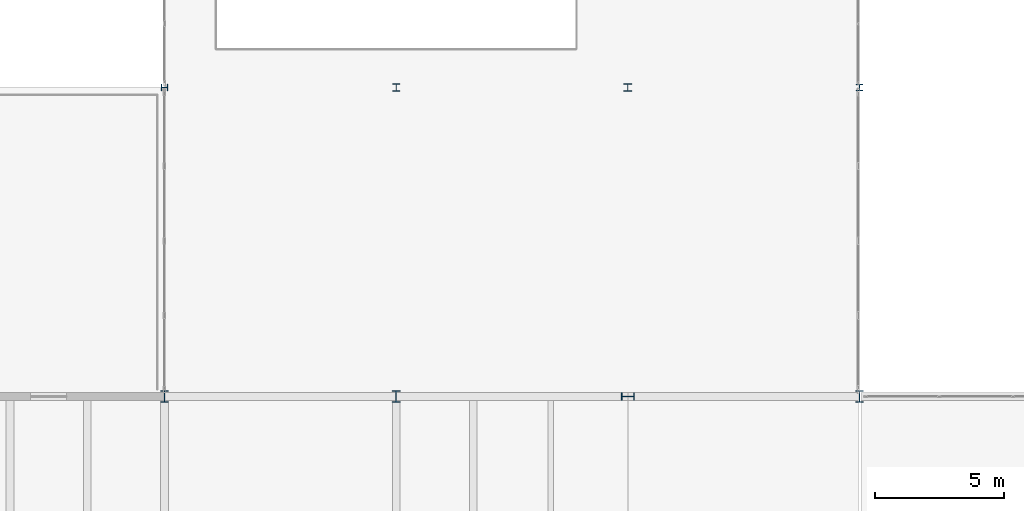
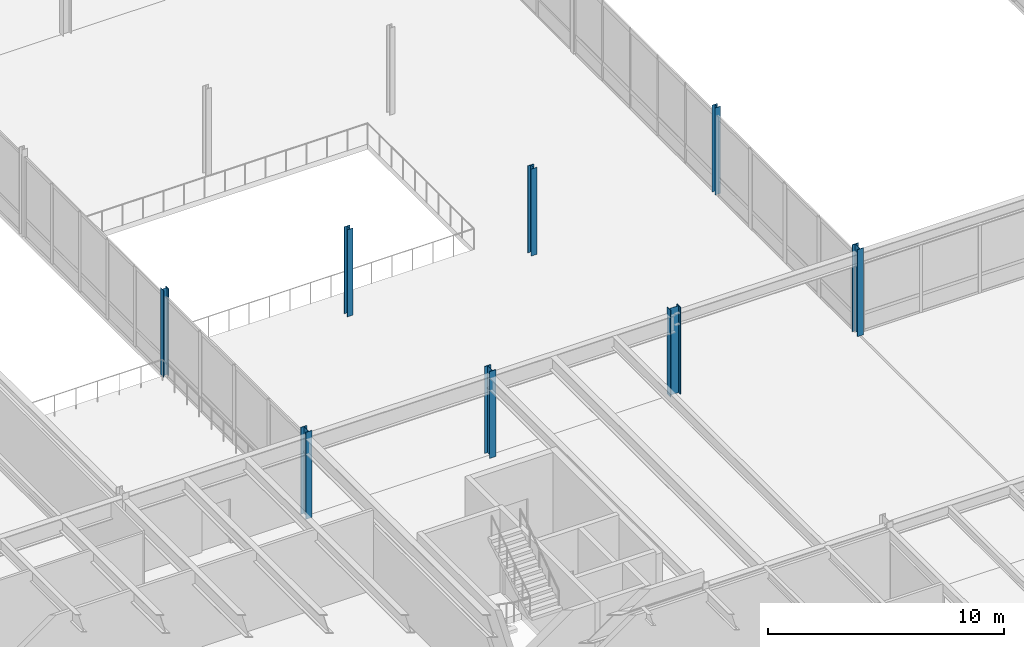
# One storey, part 3 of 115: 8 columns.
"""IFC4 building model written with IfcOpenShell, lengths in metres."""

from ifc_helpers import new_model, si_unit, direction, frame, origin, origin_2d, place, context, subcontext, project, spatial, i_section, extrude, material, material_profile, profile_set, type_object, element, save


model = new_model("IFC4")

# Units and contexts
model_context = context("Model", 3, precision=1e-05, world=origin(), true_north=direction((0.0, 1.0)))
body_context = subcontext(model_context, "Body", "Model", "MODEL_VIEW")
ifc_project = project(units=[si_unit("LENGTHUNIT", "METRE"), si_unit("AREAUNIT", "SQUARE_METRE"), si_unit("VOLUMEUNIT", "CUBIC_METRE"), si_unit("PLANEANGLEUNIT", "RADIAN"), si_unit("MASSUNIT", "GRAM", prefix="KILO")], contexts=[model_context])

# Site, building, storey
site_placement = place(None, origin())
site = spatial("IfcSite", under=ifc_project, at=site_placement, CompositionType="ELEMENT")
building_placement = place(site_placement, origin())
building = spatial("IfcBuilding", under=site, at=building_placement, Name="Montelvaro Courts of Justice", CompositionType="ELEMENT")
storey_placement = place(building_placement, frame((0.0, 0.0, 9.89990234375)))
storey = spatial("IfcBuildingStorey", under=building, at=storey_placement, Name="L02", CompositionType="ELEMENT", Elevation=9.89990234375)

# Columns
ifc_material = material(Name="Steel S355", Category="steel")
ifc_material_profile_1 = material_profile(ifc_material, i_section(OverallWidth=0.260009765625, OverallDepth=0.260009765625, WebThickness=0.010009765625, FlangeThickness=0.017578125, at=origin_2d()), Name="HEB 260")
ifc_profile_set_1 = profile_set([ifc_material_profile_1], Name="Steel S355")
column_type_1 = type_object("IfcColumnType", Name="Col_HEB260", PredefinedType="COLUMN", material=ifc_profile_set_1)
for number, where, z_axis, x_axis, name in (
    (1, (54.0, 54.0, 0.0), (0.0, 0.0, 1.0), (0.0, 1.0, 0.0), "Column C-01 L02 7/E"),
    (2, (81.0, 54.0, 0.0), (0.0, 0.0, 1.0), (1.0, 0.0, 0.0), "Column C-01 L02 10/E"),
):
    element("IfcColumn", number, at=place(storey_placement, frame(where, z_axis=z_axis, x_axis=x_axis)), inside=storey, type_object=column_type_1, Name=name, PredefinedType="COLUMN", context=body_context, shape_type="SweptSolid", body=[
        extrude(i_section(OverallWidth=0.260009765625, OverallDepth=0.260009765625, WebThickness=0.010009765625, FlangeThickness=0.017578125, at=origin_2d()), origin(), (0.0, 0.0, 1.0), 4.5),
    ])
ifc_material_profile_2 = material_profile(ifc_material, i_section(OverallWidth=0.280029296875, OverallDepth=0.280029296875, WebThickness=0.010498046875, FlangeThickness=0.01806640625, at=origin_2d()), Name="HEB 280")
ifc_profile_set_2 = profile_set([ifc_material_profile_2], Name="Steel S355")
column_type_2 = type_object("IfcColumnType", Name="Col_HEB280", PredefinedType="COLUMN", material=ifc_profile_set_2)
column_1_placement = place(storey_placement, frame((63.0, 54.0, 0.0), z_axis=(0.0, 0.0, 1.0), x_axis=(1.0, 0.0, 0.0)))
element("IfcColumn", 3, at=column_1_placement, inside=storey, type_object=column_type_2, Name="Column C-02 L02 8/E", PredefinedType="COLUMN", context=body_context, shape_type="SweptSolid", body=[
    extrude(i_section(OverallWidth=0.280029296875, OverallDepth=0.280029296875, WebThickness=0.010498046875, FlangeThickness=0.01806640625, at=origin_2d()), origin(), (0.0, 0.0, 1.0), 4.5),
])
ifc_material_profile_3 = material_profile(ifc_material, i_section(OverallWidth=0.300048828125, OverallDepth=0.300048828125, WebThickness=0.010986328125, FlangeThickness=0.01904296875, at=origin_2d()), Name="HEB 300")
ifc_profile_set_3 = profile_set([ifc_material_profile_3], Name="Steel S355")
column_type_3 = type_object("IfcColumnType", Name="Col_HEB300", PredefinedType="COLUMN", material=ifc_profile_set_3)
column_2_placement = place(storey_placement, frame((72.0, 54.0, 0.0), z_axis=(0.0, 0.0, 1.0), x_axis=(1.0, 0.0, 0.0)))
element("IfcColumn", 4, at=column_2_placement, inside=storey, type_object=column_type_3, Name="Column C-03 L02 9/E", PredefinedType="COLUMN", context=body_context, shape_type="SweptSolid", body=[
    extrude(i_section(OverallWidth=0.300048828125, OverallDepth=0.300048828125, WebThickness=0.010986328125, FlangeThickness=0.01904296875, at=origin_2d()), origin(), (0.0, 0.0, 1.0), 4.5),
])
ifc_material_profile_4 = material_profile(ifc_material, i_section(OverallWidth=0.300048828125, OverallDepth=0.449951171875, WebThickness=0.013916015625, FlangeThickness=0.02587890625, at=origin_2d()), Name="HEB 450")
ifc_profile_set_4 = profile_set([ifc_material_profile_4], Name="Steel S355")
column_type_4 = type_object("IfcColumnType", Name="Col_HEB450", PredefinedType="COLUMN", material=ifc_profile_set_4)
for number, where, z_axis, x_axis, name in (
    (5, (54.0, 42.0, 0.0), (0.0, 0.0, 1.0), (1.0, 0.0, 0.0), "Column C-08 L02 7/D"),
    (6, (63.0, 42.0, 0.0), (0.0, 0.0, 1.0), (1.0, 0.0, 0.0), "Column C-08 L02 8/D"),
    (7, (81.0, 42.0, 0.0), (0.0, 0.0, 1.0), (1.0, 0.0, 0.0), "Column C-08 L02 10/D"),
):
    element("IfcColumn", number, at=place(storey_placement, frame(where, z_axis=z_axis, x_axis=x_axis)), inside=storey, type_object=column_type_4, Name=name, PredefinedType="COLUMN", context=body_context, shape_type="SweptSolid", body=[
        extrude(i_section(OverallWidth=0.300048828125, OverallDepth=0.449951171875, WebThickness=0.013916015625, FlangeThickness=0.02587890625, at=origin_2d()), origin(), (0.0, 0.0, 1.0), 4.5),
    ])
ifc_material_profile_5 = material_profile(ifc_material, i_section(OverallWidth=0.300048828125, OverallDepth=0.5, WebThickness=0.014404296875, FlangeThickness=0.028076171875, at=origin_2d()), Name="HEB 500")
ifc_profile_set_5 = profile_set([ifc_material_profile_5], Name="Steel S355")
column_type_5 = type_object("IfcColumnType", Name="Col_HEB500", PredefinedType="COLUMN", material=ifc_profile_set_5)
column_3_placement = place(storey_placement, frame((72.0, 42.0, 0.0), z_axis=(0.0, 0.0, 1.0), x_axis=(0.0, 1.0, 0.0)))
element("IfcColumn", 8, at=column_3_placement, inside=storey, type_object=column_type_5, Name="Column C-09 L02 9/D", PredefinedType="COLUMN", context=body_context, shape_type="SweptSolid", body=[
    extrude(i_section(OverallWidth=0.300048828125, OverallDepth=0.5, WebThickness=0.014404296875, FlangeThickness=0.028076171875, at=origin_2d()), origin(), (0.0, 0.0, 1.0), 4.5),
])

save(model, "model.ifc")
